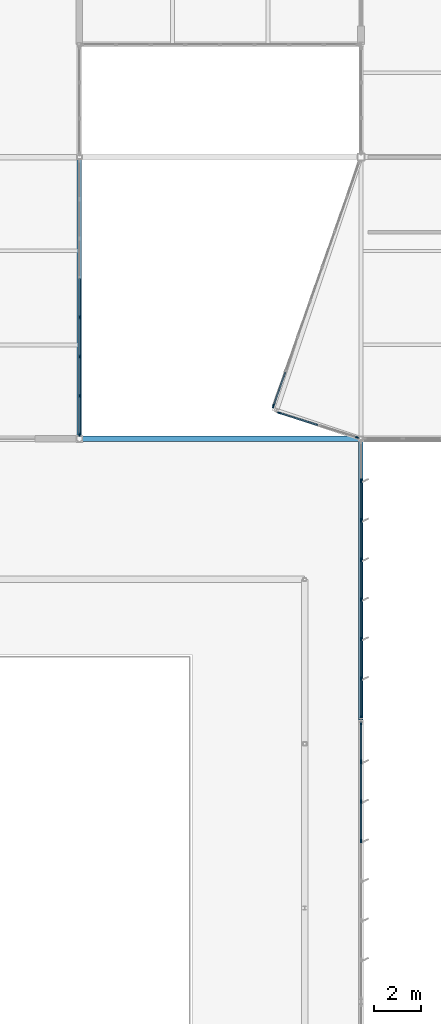
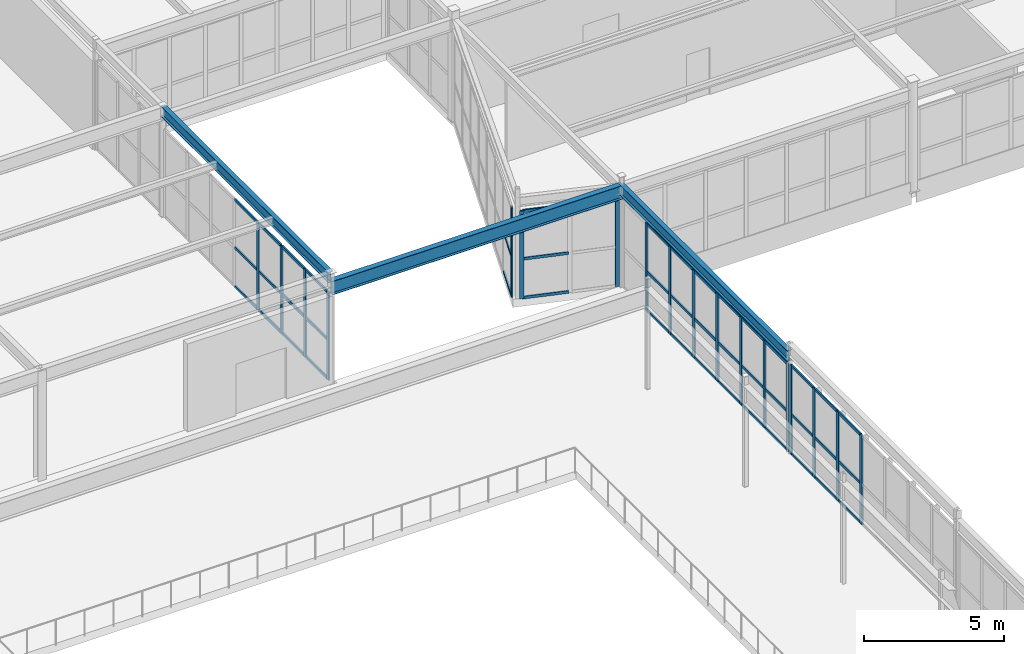
# One storey, part 99 of 186: 62 members, 3 beams, 5 elements without a shape of their own.
"""IFC4 building model written with IfcOpenShell, lengths in metres."""

import ifcopenshell
import ifcopenshell.guid

model = None  # the IFC model being written
_history = None  # IfcOwnerHistory: only IFC2X3 demands one
_inside = {}  # id of a spatial element -> (the spatial element, [elements in it])
_under = {}  # id of a project, library or spatial element -> (it, [spatial elements below it])
_declared = {}  # id of a project -> (the project, [libraries it declares])
_typed = {}  # id of a type object -> (the type object, [elements of that type])
_made_of = {}  # id of a material, layer set ... -> (it, [elements and type objects made of it])


def new_model(schema):
    """Start an empty IFC model of exactly this schema.

    Asked for "IFC4X3", IfcOpenShell would pick the latest addendum, in which some entities
    have other attributes; the version numbers below select the first issue.
    IFC2X3 requires an IfcOwnerHistory on every rooted entity: one is made here for all.
    """
    global model, _history
    if schema == "IFC4X3":
        model = ifcopenshell.file(schema_version=(4, 3, 0, 0))
    else:
        model = ifcopenshell.file(schema=schema)
    _inside.clear()
    _under.clear()
    _declared.clear()
    _typed.clear()
    _made_of.clear()
    _history = None
    if model.schema == "IFC2X3":
        org = make("IfcOrganization", Name="unknown")
        user = make(
            "IfcPersonAndOrganization",
            ThePerson=make("IfcPerson", FamilyName="unknown"),
            TheOrganization=org,
        )
        app = make(
            "IfcApplication",
            ApplicationDeveloper=org,
            Version="unknown",
            ApplicationFullName="unknown",
            ApplicationIdentifier="unknown",
        )
        _history = make(
            "IfcOwnerHistory",
            OwningUser=user,
            OwningApplication=app,
            ChangeAction="ADDED",
            CreationDate=0,
        )
    return model


def make(cls, **values):
    """One entity of the class cls with the attributes given. An attribute that is None is left unset."""
    return model.create_entity(
        cls, **{name: value for name, value in values.items() if value is not None}
    )


def rooted(cls, **values):
    """An entity with a GlobalId (a new one), such as an element, a storey or a relation."""
    return make(cls, GlobalId=ifcopenshell.guid.new(), OwnerHistory=_history, **values)


def si_unit(unit_type, name, prefix=None):
    """IfcSIUnit, for example si_unit("LENGTHUNIT", "METRE", prefix="MILLI")."""
    return make("IfcSIUnit", UnitType=unit_type, Prefix=prefix, Name=name)


def assignment(units):
    """IfcUnitAssignment: the units of a project."""
    return None if units is None else make("IfcUnitAssignment", Units=units)


def point(xyz):
    """IfcCartesianPoint."""
    return None if xyz is None else make("IfcCartesianPoint", Coordinates=xyz)


def direction(xyz):
    """IfcDirection."""
    return None if xyz is None else make("IfcDirection", DirectionRatios=xyz)


def frame(location, z_axis=None, x_axis=None):
    """IfcAxis2Placement3D, a coordinate frame: its origin and axes. An axis left out is left unset."""
    return make(
        "IfcAxis2Placement3D",
        Location=point(location),
        Axis=direction(z_axis),
        RefDirection=direction(x_axis),
    )


def frame_2d(location, x_axis=None):
    """IfcAxis2Placement2D, a coordinate frame in the plane: its origin and x axis."""
    return make(
        "IfcAxis2Placement2D", Location=point(location), RefDirection=direction(x_axis)
    )


def origin():
    """The frame at (0, 0, 0) with its axes left unset."""
    return frame((0.0, 0.0, 0.0))


def origin_2d():
    """The frame at (0, 0) in the plane with its x axis left unset."""
    return frame_2d((0.0, 0.0))


def place(relative_to, where):
    """IfcLocalPlacement: puts the frame where relative to a parent placement (None: the world)."""
    return make(
        "IfcLocalPlacement", PlacementRelTo=relative_to, RelativePlacement=where
    )


def context(
    kind, dimensions, precision=None, world=None, true_north=None, identifier=None
):
    """IfcGeometricRepresentationContext, for example the 3D "Model" context."""
    return make(
        "IfcGeometricRepresentationContext",
        ContextIdentifier=identifier,
        ContextType=kind,
        CoordinateSpaceDimension=dimensions,
        Precision=precision,
        WorldCoordinateSystem=world,
        TrueNorth=true_north,
    )


def subcontext(parent, identifier, kind, view, scale=None):
    """IfcGeometricRepresentationSubContext, for example "Body" below "Model"."""
    return make(
        "IfcGeometricRepresentationSubContext",
        ContextIdentifier=identifier,
        ContextType=kind,
        ParentContext=parent,
        TargetScale=scale,
        TargetView=view,
    )


def project(units=None, contexts=None):
    """IfcProject with its units and contexts."""
    return rooted(
        "IfcProject",
        Name="project",
        RepresentationContexts=contexts,
        UnitsInContext=assignment(units),
    )


def spatial(cls, under=None, at=None, **own):
    """A site, building, storey or space (cls), placed at a placement, below another one or the project."""
    s = rooted(cls, ObjectPlacement=at, **own)
    if under is not None:
        _under.setdefault(under.id(), (under, []))[1].append(s)
    return s


def profile(cls, at=None, kind="AREA", **sizes):
    """A parametric profile (cls). Its sizes go by their IFC names, for example OverallWidth=200.0."""
    return make(cls, ProfileType=kind, Position=at, **sizes)


def rectangle(**sizes):
    """IfcRectangleProfileDef."""
    return profile("IfcRectangleProfileDef", **sizes)


def i_section(**sizes):
    """IfcIShapeProfileDef."""
    return profile("IfcIShapeProfileDef", **sizes)


def extrude(swept, where, along, depth):
    """IfcExtrudedAreaSolid: the profile swept, set in the frame where, extruded along a direction by depth."""
    return make(
        "IfcExtrudedAreaSolid",
        SweptArea=swept,
        Position=where,
        ExtrudedDirection=direction(along),
        Depth=depth,
    )


def shape(context_of_items, identifier, shape_type, items):
    """IfcShapeRepresentation: the items that make up one representation, for example the "Body"."""
    return make(
        "IfcShapeRepresentation",
        ContextOfItems=context_of_items,
        RepresentationIdentifier=identifier,
        RepresentationType=shape_type,
        Items=items,
    )


def material(Name=None, Category=None):
    """IfcMaterial."""
    return make("IfcMaterial", Name=Name, Category=Category)


def layer(
    of_material, thickness, ventilated=None, Name=None, Category=None, Priority=None
):
    """IfcMaterialLayer: one layer of a wall or slab, of a material (None: an air gap)."""
    return make(
        "IfcMaterialLayer",
        Material=of_material,
        LayerThickness=thickness,
        IsVentilated=ventilated,
        Name=Name,
        Category=Category,
        Priority=Priority,
    )


def layer_set(layers, Name=None):
    """IfcMaterialLayerSet."""
    return make("IfcMaterialLayerSet", MaterialLayers=layers, LayerSetName=Name)


def material_profile(
    of_material, cross_section, Name=None, Category=None, Priority=None
):
    """IfcMaterialProfile: a cross section and its material."""
    return make(
        "IfcMaterialProfile",
        Name=Name,
        Material=of_material,
        Profile=cross_section,
        Priority=Priority,
        Category=Category,
    )


def profile_set(profiles, Name=None, composite=None):
    """IfcMaterialProfileSet."""
    return make(
        "IfcMaterialProfileSet",
        Name=Name,
        MaterialProfiles=profiles,
        CompositeProfile=composite,
    )


def made_of(thing, what):
    """Note that an element or type object is made of a material, layer set ...; save() writes the relation."""
    if what is not None:
        _made_of.setdefault(what.id(), (what, []))[1].append(thing)
    return thing


def type_object(cls, material=None, **own):
    """A type object (cls), such as IfcWallType, which elements share."""
    return made_of(rooted(cls, **own), material)


def element(
    cls,
    number,
    at=None,
    inside=None,
    cuts=None,
    type_object=None,
    material=None,
    context=None,
    identifier="Body",
    shape_type=None,
    held_by="IfcProductDefinitionShape",
    body=None,
    shapes=None,
    **own,
):
    """One element of the class cls, such as IfcWall. Its Tag is "e" and its number.

    at: its placement. inside: the storey or other place that contains it. cuts: it is an
    opening in that element (IfcRelVoidsElement). A single representation is given by context,
    identifier, shape_type and body (its items); several are given by shapes. held_by: the class
    of the entity that holds the representations. save() writes the other relations.
    """
    e = rooted(cls, Tag="e%d" % number, ObjectPlacement=at, **own)
    if body is not None:
        shapes = [shape(context, identifier, shape_type, body)]
    if shapes is not None:
        e.Representation = make(held_by, Representations=shapes)
    if inside is not None:
        _inside.setdefault(inside.id(), (inside, []))[1].append(e)
    if cuts is not None:
        rooted(
            "IfcRelVoidsElement", RelatingBuildingElement=cuts, RelatedOpeningElement=e
        )
    if type_object is not None:
        _typed.setdefault(type_object.id(), (type_object, []))[1].append(e)
    return made_of(e, material)


def aggregate(whole, parts):
    """IfcRelAggregates: a whole, such as a stair, and the parts it consists of."""
    return rooted("IfcRelAggregates", RelatingObject=whole, RelatedObjects=parts)


def save(model, path):
    """Write the relations noted so far, then the file.

    IfcRelAggregates (storeys below a building ...), IfcRelContainedInSpatialStructure (elements
    in a storey), IfcRelDefinesByType, IfcRelAssociatesMaterial and IfcRelDeclares: one each for
    every whole, place, type object, material and project.
    """
    for whole, parts in _under.values():
        aggregate(whole, parts)
    for where, things in _inside.values():
        rooted(
            "IfcRelContainedInSpatialStructure",
            RelatedElements=things,
            RelatingStructure=where,
        )
    for kind, things in _typed.values():
        rooted("IfcRelDefinesByType", RelatedObjects=things, RelatingType=kind)
    for what, things in _made_of.values():
        rooted("IfcRelAssociatesMaterial", RelatedObjects=things, RelatingMaterial=what)
    for by, libraries in _declared.values():
        rooted("IfcRelDeclares", RelatingContext=by, RelatedDefinitions=libraries)
    model.write(path)


model = new_model("IFC4")

# Units and contexts
model_context = context("Model", 3, precision=1e-05, world=origin(), true_north=direction((0.0, 1.0)))
body_context = subcontext(model_context, "Body", "Model", "MODEL_VIEW")
ifc_project = project(units=[si_unit("LENGTHUNIT", "METRE"), si_unit("AREAUNIT", "SQUARE_METRE"), si_unit("VOLUMEUNIT", "CUBIC_METRE"), si_unit("PLANEANGLEUNIT", "RADIAN"), si_unit("MASSUNIT", "GRAM", prefix="KILO")], contexts=[model_context])

# Site, building, storey
site_placement = place(None, origin())
site = spatial("IfcSite", under=ifc_project, at=site_placement, CompositionType="ELEMENT")
building_placement = place(site_placement, origin())
building = spatial("IfcBuilding", under=site, at=building_placement, Name="Tarnwether General Hospital", CompositionType="ELEMENT")
storey_placement = place(building_placement, frame((0.0, 0.0, 9.60009765625)))
storey = spatial("IfcBuildingStorey", under=building, at=storey_placement, Name="L02", CompositionType="ELEMENT", Elevation=9.60009765625)

# Beams
ifc_material_1 = material(Name="Steel Grade 350 (350 MPa)", Category="steel")
ifc_material_profile_1 = material_profile(ifc_material_1, i_section(OverallWidth=0.22802734375, OverallDepth=0.60205078125, WebThickness=0.010498046875, FlangeThickness=0.014892578125, at=origin_2d()), Name="610UB101")
ifc_profile_set_1 = profile_set([ifc_material_profile_1], Name="Steel Grade 350 (350 MPa)")
beam_type_1 = type_object("IfcBeamType", Name="BM-G05", PredefinedType="BEAM", material=ifc_profile_set_1)
beam_placement = place(storey_placement, frame((132.0, 81.60009765625, 4.143798828125), z_axis=(1.0, 0.0, 0.0), x_axis=(0.0, 1.0, 0.0)))
element("IfcBeam", 1, at=beam_placement, inside=storey, type_object=beam_type_1, Name="Primary Girder BMG-L02-13200_8160-14400_8160-1558", PredefinedType="BEAM", context=body_context, shape_type="SweptSolid", body=[
    extrude(i_section(OverallWidth=0.22802734375, OverallDepth=0.60205078125, WebThickness=0.010498046875, FlangeThickness=0.014892578125, at=origin_2d()), origin(), (0.0, 0.0, 1.0), 12.0),
])
ifc_material_2 = material(Name="Steel Grade 350 (350 MPa)", Category="steel")
ifc_material_profile_2 = material_profile(ifc_material_2, i_section(OverallWidth=0.19091796875, OverallDepth=0.4599609375, WebThickness=0.010009765625, FlangeThickness=0.01611328125, at=origin_2d()), Name="460UB82.1")
ifc_profile_set_2 = profile_set([ifc_material_profile_2], Name="Steel Grade 350 (350 MPa)")
beam_type_2 = type_object("IfcBeamType", Name="BM-G08", PredefinedType="BEAM", material=ifc_profile_set_2)
for number, where, z_axis, x_axis, name in (
    (2, (132.0, 81.60009765625, 4.56982421875), (0.0, 1.0, 0.0), (-1.0, 0.0, 0.0), "Primary Girder BMG-L02-13200_8160-13200_9360-1559"),
    (3, (144.0, 69.60009765625, 4.21484375), (0.0, 1.0, 0.0), (-1.0, 0.0, 0.0), "Primary Girder BMG-L02-14400_6960-14400_8160-1578"),
):
    element("IfcBeam", number, at=place(storey_placement, frame(where, z_axis=z_axis, x_axis=x_axis)), inside=storey, type_object=beam_type_2, Name=name, PredefinedType="BEAM", context=body_context, shape_type="SweptSolid", body=[
        extrude(i_section(OverallWidth=0.19091796875, OverallDepth=0.4599609375, WebThickness=0.010009765625, FlangeThickness=0.01611328125, at=origin_2d()), origin(), (0.0, 0.0, 1.0), 12.0),
    ])

# Curtain wall, members
ifc_material_3 = material(Name="Anodised aluminium", Category="aluminium")
ifc_layer_1 = layer(ifc_material_3, 0.179931640625)
ifc_layer_set_1 = layer_set([ifc_layer_1], Name="Anodised aluminium")
curtain_wall_type_1 = type_object("IfcCurtainWallType", Name="CW-06", PredefinedType="NOTDEFINED", material=ifc_layer_set_1)
curtain_wall_1_placement = place(storey_placement, origin())
curtain_wall_1 = element("IfcCurtainWall", 4, at=curtain_wall_1_placement, inside=storey, type_object=curtain_wall_type_1, Name="Curtain Wall CWG-L02-1440_815-0416", PredefinedType="NOTDEFINED")
ifc_material_4 = material(Name="Anodised aluminium", Category="aluminium")
ifc_material_profile_3 = material_profile(ifc_material_4, rectangle(XDim=0.06005859375, YDim=0.159912109375, at=origin_2d()), Name="ALU-MUL-60x160")
ifc_profile_set_3 = profile_set([ifc_material_profile_3], Name="Anodised aluminium")
member_type_1 = type_object("IfcMemberType", Name="CW-ML1", PredefinedType="MULLION", material=ifc_profile_set_3)
member_1_placement = place(storey_placement, frame((144.0, 79.808349609375, 0.0), z_axis=(0.0, 0.0, 1.0), x_axis=(1.0, 0.0, 0.0)))
member_1 = element("IfcMember", 5, at=member_1_placement, type_object=member_type_1, Name="CW-06 mullion 2", PredefinedType="MULLION", context=body_context, shape_type="SweptSolid", body=[
    extrude(rectangle(XDim=0.06005859375, YDim=0.159912109375, at=origin_2d()), origin(), (0.0, 0.0, 1.0), 3.827880859375),
])
member_2_placement = place(storey_placement, frame((144.0, 78.121826171875, 0.0), z_axis=(0.0, 0.0, 1.0), x_axis=(1.0, 0.0, 0.0)))
member_2 = element("IfcMember", 6, at=member_2_placement, type_object=member_type_1, Name="CW-06 mullion 3", PredefinedType="MULLION", context=body_context, shape_type="SweptSolid", body=[
    extrude(rectangle(XDim=0.06005859375, YDim=0.159912109375, at=origin_2d()), origin(), (0.0, 0.0, 1.0), 3.827880859375),
])
member_3_placement = place(storey_placement, frame((144.0, 76.435302734375, 0.0), z_axis=(0.0, 0.0, 1.0), x_axis=(1.0, 0.0, 0.0)))
member_3 = element("IfcMember", 7, at=member_3_placement, type_object=member_type_1, Name="CW-06 mullion 4", PredefinedType="MULLION", context=body_context, shape_type="SweptSolid", body=[
    extrude(rectangle(XDim=0.06005859375, YDim=0.159912109375, at=origin_2d()), origin(), (0.0, 0.0, 1.0), 3.827880859375),
])
member_4_placement = place(storey_placement, frame((144.0, 74.748779296875, 0.0), z_axis=(0.0, 0.0, 1.0), x_axis=(1.0, 0.0, 0.0)))
member_4 = element("IfcMember", 8, at=member_4_placement, type_object=member_type_1, Name="CW-06 mullion 5", PredefinedType="MULLION", context=body_context, shape_type="SweptSolid", body=[
    extrude(rectangle(XDim=0.06005859375, YDim=0.159912109375, at=origin_2d()), origin(), (0.0, 0.0, 1.0), 3.827880859375),
])
member_5_placement = place(storey_placement, frame((144.0, 73.062255859375, 0.0), z_axis=(0.0, 0.0, 1.0), x_axis=(1.0, 0.0, 0.0)))
member_5 = element("IfcMember", 9, at=member_5_placement, type_object=member_type_1, Name="CW-06 mullion 6", PredefinedType="MULLION", context=body_context, shape_type="SweptSolid", body=[
    extrude(rectangle(XDim=0.06005859375, YDim=0.159912109375, at=origin_2d()), origin(), (0.0, 0.0, 1.0), 3.827880859375),
])
member_6_placement = place(storey_placement, frame((144.0, 71.37548828125, 0.0), z_axis=(0.0, 0.0, 1.0), x_axis=(1.0, 0.0, 0.0)))
member_6 = element("IfcMember", 10, at=member_6_placement, type_object=member_type_1, Name="CW-06 mullion 7", PredefinedType="MULLION", context=body_context, shape_type="SweptSolid", body=[
    extrude(rectangle(XDim=0.06005859375, YDim=0.159912109375, at=origin_2d()), origin(), (0.0, 0.0, 1.0), 3.827880859375),
])
member_7_placement = place(storey_placement, frame((144.0, 69.718994140625, 0.0), z_axis=(0.0, 0.0, 1.0), x_axis=(1.0, 0.0, 0.0)))
member_7 = element("IfcMember", 11, at=member_7_placement, type_object=member_type_1, Name="CW-06 mullion 8", PredefinedType="MULLION", context=body_context, shape_type="SweptSolid", body=[
    extrude(rectangle(XDim=0.06005859375, YDim=0.159912109375, at=origin_2d()), origin(), (0.0, 0.0, 1.0), 3.827880859375),
])

curtain_wall_2_placement = place(storey_placement, origin())
curtain_wall_2 = element("IfcCurtainWall", 12, at=curtain_wall_2_placement, inside=storey, type_object=curtain_wall_type_1, Name="Curtain Wall CWG-L02-1440_695-0417", PredefinedType="NOTDEFINED")
member_8_placement = place(storey_placement, frame((144.0, 69.48095703125, 0.0), z_axis=(0.0, 0.0, 1.0), x_axis=(1.0, 0.0, 0.0)))
member_8 = element("IfcMember", 13, at=member_8_placement, type_object=member_type_1, Name="CW-06 mullion 1", PredefinedType="MULLION", context=body_context, shape_type="SweptSolid", body=[
    extrude(rectangle(XDim=0.06005859375, YDim=0.159912109375, at=origin_2d()), origin(), (0.0, 0.0, 1.0), 3.89697265625),
])
member_9_placement = place(storey_placement, frame((144.0, 67.8251953125, 0.0), z_axis=(0.0, 0.0, 1.0), x_axis=(1.0, 0.0, 0.0)))
member_9 = element("IfcMember", 14, at=member_9_placement, type_object=member_type_1, Name="CW-06 mullion 2", PredefinedType="MULLION", context=body_context, shape_type="SweptSolid", body=[
    extrude(rectangle(XDim=0.06005859375, YDim=0.159912109375, at=origin_2d()), origin(), (0.0, 0.0, 1.0), 3.89697265625),
])
member_10_placement = place(storey_placement, frame((144.0, 66.139404296875, 0.0), z_axis=(0.0, 0.0, 1.0), x_axis=(1.0, 0.0, 0.0)))
member_10 = element("IfcMember", 15, at=member_10_placement, type_object=member_type_1, Name="CW-06 mullion 3", PredefinedType="MULLION", context=body_context, shape_type="SweptSolid", body=[
    extrude(rectangle(XDim=0.06005859375, YDim=0.159912109375, at=origin_2d()), origin(), (0.0, 0.0, 1.0), 3.89697265625),
])
member_11_placement = place(storey_placement, frame((144.0, 64.453369140625, 0.0), z_axis=(0.0, 0.0, 1.0), x_axis=(1.0, 0.0, 0.0)))
member_11 = element("IfcMember", 16, at=member_11_placement, type_object=member_type_1, Name="CW-06 mullion 4", PredefinedType="MULLION", context=body_context, shape_type="SweptSolid", body=[
    extrude(rectangle(XDim=0.06005859375, YDim=0.159912109375, at=origin_2d()), origin(), (0.0, 0.0, 1.0), 3.89697265625),
])

ifc_material_5 = material(Name="Anodised aluminium", Category="aluminium")
ifc_layer_2 = layer(ifc_material_5, 0.159912109375)
ifc_layer_set_2 = layer_set([ifc_layer_2], Name="Anodised aluminium")
curtain_wall_type_2 = type_object("IfcCurtainWallType", Name="CW-15", PredefinedType="NOTDEFINED", material=ifc_layer_set_2)
curtain_wall_3_placement = place(storey_placement, origin())
curtain_wall_3 = element("IfcCurtainWall", 17, at=curtain_wall_3_placement, inside=storey, type_object=curtain_wall_type_2, Name="Curtain Wall CWG-L02-1320_935-0444", PredefinedType="NOTDEFINED")
member_12_placement = place(storey_placement, frame((132.0, 86.775146484375, 0.0), z_axis=(0.0, 0.0, 1.0), x_axis=(1.0, 0.0, 0.0)))
member_12 = element("IfcMember", 18, at=member_12_placement, type_object=member_type_1, Name="CW-15 mullion 5", PredefinedType="MULLION", context=body_context, shape_type="SweptSolid", body=[
    extrude(rectangle(XDim=0.06005859375, YDim=0.159912109375, at=origin_2d()), origin(), (0.0, 0.0, 1.0), 3.827880859375),
])
member_13_placement = place(storey_placement, frame((132.0, 85.098388671875, 0.0), z_axis=(0.0, 0.0, 1.0), x_axis=(1.0, 0.0, 0.0)))
member_13 = element("IfcMember", 19, at=member_13_placement, type_object=member_type_1, Name="CW-15 mullion 6", PredefinedType="MULLION", context=body_context, shape_type="SweptSolid", body=[
    extrude(rectangle(XDim=0.06005859375, YDim=0.159912109375, at=origin_2d()), origin(), (0.0, 0.0, 1.0), 3.827880859375),
])
member_14_placement = place(storey_placement, frame((132.0, 83.421630859375, 0.0), z_axis=(0.0, 0.0, 1.0), x_axis=(1.0, 0.0, 0.0)))
member_14 = element("IfcMember", 20, at=member_14_placement, type_object=member_type_1, Name="CW-15 mullion 7", PredefinedType="MULLION", context=body_context, shape_type="SweptSolid", body=[
    extrude(rectangle(XDim=0.06005859375, YDim=0.159912109375, at=origin_2d()), origin(), (0.0, 0.0, 1.0), 3.827880859375),
])
member_15_placement = place(storey_placement, frame((132.0, 81.77490234375, 0.0), z_axis=(0.0, 0.0, 1.0), x_axis=(1.0, 0.0, 0.0)))
member_15 = element("IfcMember", 21, at=member_15_placement, type_object=member_type_1, Name="CW-15 mullion 8", PredefinedType="MULLION", context=body_context, shape_type="SweptSolid", body=[
    extrude(rectangle(XDim=0.06005859375, YDim=0.159912109375, at=origin_2d()), origin(), (0.0, 0.0, 1.0), 3.827880859375),
])

curtain_wall_4_placement = place(storey_placement, origin())
curtain_wall_4 = element("IfcCurtainWall", 22, at=curtain_wall_4_placement, inside=storey, type_object=curtain_wall_type_2, Name="Curtain Wall CWG-L02-1439_816-0445", PredefinedType="NOTDEFINED")
member_16_placement = place(storey_placement, frame((143.847412109375, 81.64794921875, 0.0), z_axis=(0.0, 0.0, 1.0), x_axis=(-0.301185152538, -0.953565678855, 0.0)))
member_16 = element("IfcMember", 23, at=member_16_placement, type_object=member_type_1, Name="CW-15 mullion 1", PredefinedType="MULLION", context=body_context, shape_type="SweptSolid", body=[
    extrude(rectangle(XDim=0.06005859375, YDim=0.159912109375, at=origin_2d()), origin(), (0.0, 0.0, 1.0), 3.827880859375),
])
member_17_placement = place(storey_placement, frame((140.510498046875, 82.701904296875, 0.0), z_axis=(0.0, 0.0, 1.0), x_axis=(-0.301185152538, -0.953565678855, 0.0)))
member_17 = element("IfcMember", 24, at=member_17_placement, type_object=member_type_1, Name="CW-15 mullion 3", PredefinedType="MULLION", context=body_context, shape_type="SweptSolid", body=[
    extrude(rectangle(XDim=0.06005859375, YDim=0.159912109375, at=origin_2d()), origin(), (0.0, 0.0, 1.0), 3.827880859375),
])

# Curtain wall, member
curtain_wall_5_placement = place(storey_placement, origin())
curtain_wall_5 = element("IfcCurtainWall", 25, at=curtain_wall_5_placement, inside=storey, type_object=curtain_wall_type_2, Name="Curtain Wall CWG-L02-1403_830-0446", PredefinedType="NOTDEFINED")
member_18_placement = place(storey_placement, frame((140.26806640625, 82.9921875, 0.0), z_axis=(0.0, 0.0, 1.0), x_axis=(-0.943316578617, 0.33189430924, 0.0)))
member_18 = element("IfcMember", 26, at=member_18_placement, type_object=member_type_1, Name="CW-15 mullion 1", PredefinedType="MULLION", context=body_context, shape_type="SweptSolid", body=[
    extrude(rectangle(XDim=0.06005859375, YDim=0.159912109375, at=origin_2d()), origin(), (0.0, 0.0, 1.0), 3.89697265625),
])

# Member
ifc_material_6 = material(Name="Anodised aluminium", Category="aluminium")
ifc_material_profile_4 = material_profile(ifc_material_6, rectangle(XDim=0.06005859375, YDim=0.1201171875, at=origin_2d()), Name="ALU-TRN-60x120")
ifc_profile_set_4 = profile_set([ifc_material_profile_4], Name="Anodised aluminium")
member_type_2 = type_object("IfcMemberType", Name="CW-TR1", PredefinedType="USERDEFINED", material=ifc_profile_set_4)
member_19_placement = place(storey_placement, frame((144.0, 79.7783203125, 0.02978515625), z_axis=(0.0, -1.0, 0.0), x_axis=(1.0, 0.0, 0.0)))
member_19 = element("IfcMember", 27, at=member_19_placement, type_object=member_type_2, Name="CW-06 transom 2.1", ObjectType="TRANSOM", PredefinedType="USERDEFINED", context=body_context, shape_type="SweptSolid", body=[
    extrude(rectangle(XDim=0.06005859375, YDim=0.1201171875, at=origin_2d()), origin(), (0.0, 0.0, 1.0), 1.62646484375),
])

member_20_placement = place(storey_placement, frame((144.0, 79.7783203125, 1.722412109375), z_axis=(0.0, -1.0, 0.0), x_axis=(1.0, 0.0, 0.0)))
member_20 = element("IfcMember", 28, at=member_20_placement, type_object=member_type_2, Name="CW-06 transom 2.2", ObjectType="TRANSOM", PredefinedType="USERDEFINED", context=body_context, shape_type="SweptSolid", body=[
    extrude(rectangle(XDim=0.06005859375, YDim=0.1201171875, at=origin_2d()), origin(), (0.0, 0.0, 1.0), 1.62646484375),
])

member_21_placement = place(storey_placement, frame((144.0, 79.7783203125, 3.7978515625), z_axis=(0.0, -1.0, 0.0), x_axis=(1.0, 0.0, 0.0)))
member_21 = element("IfcMember", 29, at=member_21_placement, type_object=member_type_2, Name="CW-06 transom 2.3", ObjectType="TRANSOM", PredefinedType="USERDEFINED", context=body_context, shape_type="SweptSolid", body=[
    extrude(rectangle(XDim=0.06005859375, YDim=0.1201171875, at=origin_2d()), origin(), (0.0, 0.0, 1.0), 1.62646484375),
])

member_22_placement = place(storey_placement, frame((144.0, 78.091796875, 0.02978515625), z_axis=(0.0, -1.0, 0.0), x_axis=(1.0, 0.0, 0.0)))
member_22 = element("IfcMember", 30, at=member_22_placement, type_object=member_type_2, Name="CW-06 transom 3.1", ObjectType="TRANSOM", PredefinedType="USERDEFINED", context=body_context, shape_type="SweptSolid", body=[
    extrude(rectangle(XDim=0.06005859375, YDim=0.1201171875, at=origin_2d()), origin(), (0.0, 0.0, 1.0), 1.62646484375),
])

member_23_placement = place(storey_placement, frame((144.0, 78.091796875, 1.722412109375), z_axis=(0.0, -1.0, 0.0), x_axis=(1.0, 0.0, 0.0)))
member_23 = element("IfcMember", 31, at=member_23_placement, type_object=member_type_2, Name="CW-06 transom 3.2", ObjectType="TRANSOM", PredefinedType="USERDEFINED", context=body_context, shape_type="SweptSolid", body=[
    extrude(rectangle(XDim=0.06005859375, YDim=0.1201171875, at=origin_2d()), origin(), (0.0, 0.0, 1.0), 1.62646484375),
])

member_24_placement = place(storey_placement, frame((144.0, 78.091796875, 3.7978515625), z_axis=(0.0, -1.0, 0.0), x_axis=(1.0, 0.0, 0.0)))
member_24 = element("IfcMember", 32, at=member_24_placement, type_object=member_type_2, Name="CW-06 transom 3.3", ObjectType="TRANSOM", PredefinedType="USERDEFINED", context=body_context, shape_type="SweptSolid", body=[
    extrude(rectangle(XDim=0.06005859375, YDim=0.1201171875, at=origin_2d()), origin(), (0.0, 0.0, 1.0), 1.62646484375),
])

member_25_placement = place(storey_placement, frame((144.0, 76.4052734375, 0.02978515625), z_axis=(0.0, -1.0, 0.0), x_axis=(1.0, 0.0, 0.0)))
member_25 = element("IfcMember", 33, at=member_25_placement, type_object=member_type_2, Name="CW-06 transom 4.1", ObjectType="TRANSOM", PredefinedType="USERDEFINED", context=body_context, shape_type="SweptSolid", body=[
    extrude(rectangle(XDim=0.06005859375, YDim=0.1201171875, at=origin_2d()), origin(), (0.0, 0.0, 1.0), 1.62646484375),
])

member_26_placement = place(storey_placement, frame((144.0, 76.4052734375, 1.722412109375), z_axis=(0.0, -1.0, 0.0), x_axis=(1.0, 0.0, 0.0)))
member_26 = element("IfcMember", 34, at=member_26_placement, type_object=member_type_2, Name="CW-06 transom 4.2", ObjectType="TRANSOM", PredefinedType="USERDEFINED", context=body_context, shape_type="SweptSolid", body=[
    extrude(rectangle(XDim=0.06005859375, YDim=0.1201171875, at=origin_2d()), origin(), (0.0, 0.0, 1.0), 1.62646484375),
])

member_27_placement = place(storey_placement, frame((144.0, 76.4052734375, 3.7978515625), z_axis=(0.0, -1.0, 0.0), x_axis=(1.0, 0.0, 0.0)))
member_27 = element("IfcMember", 35, at=member_27_placement, type_object=member_type_2, Name="CW-06 transom 4.3", ObjectType="TRANSOM", PredefinedType="USERDEFINED", context=body_context, shape_type="SweptSolid", body=[
    extrude(rectangle(XDim=0.06005859375, YDim=0.1201171875, at=origin_2d()), origin(), (0.0, 0.0, 1.0), 1.62646484375),
])

member_28_placement = place(storey_placement, frame((144.0, 74.71875, 0.02978515625), z_axis=(0.0, -1.0, 0.0), x_axis=(1.0, 0.0, 0.0)))
member_28 = element("IfcMember", 36, at=member_28_placement, type_object=member_type_2, Name="CW-06 transom 5.1", ObjectType="TRANSOM", PredefinedType="USERDEFINED", context=body_context, shape_type="SweptSolid", body=[
    extrude(rectangle(XDim=0.06005859375, YDim=0.1201171875, at=origin_2d()), origin(), (0.0, 0.0, 1.0), 1.626708984375),
])

member_29_placement = place(storey_placement, frame((144.0, 74.71875, 1.722412109375), z_axis=(0.0, -1.0, 0.0), x_axis=(1.0, 0.0, 0.0)))
member_29 = element("IfcMember", 37, at=member_29_placement, type_object=member_type_2, Name="CW-06 transom 5.2", ObjectType="TRANSOM", PredefinedType="USERDEFINED", context=body_context, shape_type="SweptSolid", body=[
    extrude(rectangle(XDim=0.06005859375, YDim=0.1201171875, at=origin_2d()), origin(), (0.0, 0.0, 1.0), 1.626708984375),
])

member_30_placement = place(storey_placement, frame((144.0, 74.71875, 3.7978515625), z_axis=(0.0, -1.0, 0.0), x_axis=(1.0, 0.0, 0.0)))
member_30 = element("IfcMember", 38, at=member_30_placement, type_object=member_type_2, Name="CW-06 transom 5.3", ObjectType="TRANSOM", PredefinedType="USERDEFINED", context=body_context, shape_type="SweptSolid", body=[
    extrude(rectangle(XDim=0.06005859375, YDim=0.1201171875, at=origin_2d()), origin(), (0.0, 0.0, 1.0), 1.626708984375),
])

member_31_placement = place(storey_placement, frame((144.0, 73.0322265625, 0.02978515625), z_axis=(0.0, -1.0, 0.0), x_axis=(1.0, 0.0, 0.0)))
member_31 = element("IfcMember", 39, at=member_31_placement, type_object=member_type_2, Name="CW-06 transom 6.1", ObjectType="TRANSOM", PredefinedType="USERDEFINED", context=body_context, shape_type="SweptSolid", body=[
    extrude(rectangle(XDim=0.06005859375, YDim=0.1201171875, at=origin_2d()), origin(), (0.0, 0.0, 1.0), 1.626708984375),
])

member_32_placement = place(storey_placement, frame((144.0, 73.0322265625, 1.722412109375), z_axis=(0.0, -1.0, 0.0), x_axis=(1.0, 0.0, 0.0)))
member_32 = element("IfcMember", 40, at=member_32_placement, type_object=member_type_2, Name="CW-06 transom 6.2", ObjectType="TRANSOM", PredefinedType="USERDEFINED", context=body_context, shape_type="SweptSolid", body=[
    extrude(rectangle(XDim=0.06005859375, YDim=0.1201171875, at=origin_2d()), origin(), (0.0, 0.0, 1.0), 1.626708984375),
])

member_33_placement = place(storey_placement, frame((144.0, 73.0322265625, 3.7978515625), z_axis=(0.0, -1.0, 0.0), x_axis=(1.0, 0.0, 0.0)))
member_33 = element("IfcMember", 41, at=member_33_placement, type_object=member_type_2, Name="CW-06 transom 6.3", ObjectType="TRANSOM", PredefinedType="USERDEFINED", context=body_context, shape_type="SweptSolid", body=[
    extrude(rectangle(XDim=0.06005859375, YDim=0.1201171875, at=origin_2d()), origin(), (0.0, 0.0, 1.0), 1.626708984375),
])

member_34_placement = place(storey_placement, frame((144.0, 71.345458984375, 0.02978515625), z_axis=(0.0, -1.0, 0.0), x_axis=(1.0, 0.0, 0.0)))
member_34 = element("IfcMember", 42, at=member_34_placement, type_object=member_type_2, Name="CW-06 transom 7.1", ObjectType="TRANSOM", PredefinedType="USERDEFINED", context=body_context, shape_type="SweptSolid", body=[
    extrude(rectangle(XDim=0.06005859375, YDim=0.1201171875, at=origin_2d()), origin(), (0.0, 0.0, 1.0), 1.596435546875),
])

member_35_placement = place(storey_placement, frame((144.0, 71.345458984375, 1.722412109375), z_axis=(0.0, -1.0, 0.0), x_axis=(1.0, 0.0, 0.0)))
member_35 = element("IfcMember", 43, at=member_35_placement, type_object=member_type_2, Name="CW-06 transom 7.2", ObjectType="TRANSOM", PredefinedType="USERDEFINED", context=body_context, shape_type="SweptSolid", body=[
    extrude(rectangle(XDim=0.06005859375, YDim=0.1201171875, at=origin_2d()), origin(), (0.0, 0.0, 1.0), 1.596435546875),
])

member_36_placement = place(storey_placement, frame((144.0, 71.345458984375, 3.7978515625), z_axis=(0.0, -1.0, 0.0), x_axis=(1.0, 0.0, 0.0)))
member_36 = element("IfcMember", 44, at=member_36_placement, type_object=member_type_2, Name="CW-06 transom 7.3", ObjectType="TRANSOM", PredefinedType="USERDEFINED", context=body_context, shape_type="SweptSolid", body=[
    extrude(rectangle(XDim=0.06005859375, YDim=0.1201171875, at=origin_2d()), origin(), (0.0, 0.0, 1.0), 1.596435546875),
])

aggregate(curtain_wall_1, [member_1, member_2, member_3, member_4, member_5, member_6, member_7, member_19, member_20, member_21, member_22, member_23, member_24, member_25, member_26, member_27, member_28, member_29, member_30, member_31, member_32, member_33, member_34, member_35, member_36])

member_37_placement = place(storey_placement, frame((144.0, 69.450927734375, 0.02978515625), z_axis=(0.0, -1.0, 0.0), x_axis=(1.0, 0.0, 0.0)))
member_37 = element("IfcMember", 45, at=member_37_placement, type_object=member_type_2, Name="CW-06 transom 1.1", ObjectType="TRANSOM", PredefinedType="USERDEFINED", context=body_context, shape_type="SweptSolid", body=[
    extrude(rectangle(XDim=0.06005859375, YDim=0.1201171875, at=origin_2d()), origin(), (0.0, 0.0, 1.0), 1.595703125),
])

member_38_placement = place(storey_placement, frame((144.0, 69.450927734375, 1.753662109375), z_axis=(0.0, -1.0, 0.0), x_axis=(1.0, 0.0, 0.0)))
member_38 = element("IfcMember", 46, at=member_38_placement, type_object=member_type_2, Name="CW-06 transom 1.2", ObjectType="TRANSOM", PredefinedType="USERDEFINED", context=body_context, shape_type="SweptSolid", body=[
    extrude(rectangle(XDim=0.06005859375, YDim=0.1201171875, at=origin_2d()), origin(), (0.0, 0.0, 1.0), 1.595703125),
])

member_39_placement = place(storey_placement, frame((144.0, 69.450927734375, 3.866943359375), z_axis=(0.0, -1.0, 0.0), x_axis=(1.0, 0.0, 0.0)))
member_39 = element("IfcMember", 47, at=member_39_placement, type_object=member_type_2, Name="CW-06 transom 1.3", ObjectType="TRANSOM", PredefinedType="USERDEFINED", context=body_context, shape_type="SweptSolid", body=[
    extrude(rectangle(XDim=0.06005859375, YDim=0.1201171875, at=origin_2d()), origin(), (0.0, 0.0, 1.0), 1.595703125),
])

member_40_placement = place(storey_placement, frame((144.0, 67.795166015625, 0.02978515625), z_axis=(0.0, -1.0, 0.0), x_axis=(1.0, 0.0, 0.0)))
member_40 = element("IfcMember", 48, at=member_40_placement, type_object=member_type_2, Name="CW-06 transom 2.1", ObjectType="TRANSOM", PredefinedType="USERDEFINED", context=body_context, shape_type="SweptSolid", body=[
    extrude(rectangle(XDim=0.06005859375, YDim=0.1201171875, at=origin_2d()), origin(), (0.0, 0.0, 1.0), 1.6259765625),
])

member_41_placement = place(storey_placement, frame((144.0, 67.795166015625, 1.753662109375), z_axis=(0.0, -1.0, 0.0), x_axis=(1.0, 0.0, 0.0)))
member_41 = element("IfcMember", 49, at=member_41_placement, type_object=member_type_2, Name="CW-06 transom 2.2", ObjectType="TRANSOM", PredefinedType="USERDEFINED", context=body_context, shape_type="SweptSolid", body=[
    extrude(rectangle(XDim=0.06005859375, YDim=0.1201171875, at=origin_2d()), origin(), (0.0, 0.0, 1.0), 1.6259765625),
])

member_42_placement = place(storey_placement, frame((144.0, 67.795166015625, 3.866943359375), z_axis=(0.0, -1.0, 0.0), x_axis=(1.0, 0.0, 0.0)))
member_42 = element("IfcMember", 50, at=member_42_placement, type_object=member_type_2, Name="CW-06 transom 2.3", ObjectType="TRANSOM", PredefinedType="USERDEFINED", context=body_context, shape_type="SweptSolid", body=[
    extrude(rectangle(XDim=0.06005859375, YDim=0.1201171875, at=origin_2d()), origin(), (0.0, 0.0, 1.0), 1.6259765625),
])

member_43_placement = place(storey_placement, frame((144.0, 66.109375, 0.02978515625), z_axis=(0.0, -1.0, 0.0), x_axis=(1.0, 0.0, 0.0)))
member_43 = element("IfcMember", 51, at=member_43_placement, type_object=member_type_2, Name="CW-06 transom 3.1", ObjectType="TRANSOM", PredefinedType="USERDEFINED", context=body_context, shape_type="SweptSolid", body=[
    extrude(rectangle(XDim=0.06005859375, YDim=0.1201171875, at=origin_2d()), origin(), (0.0, 0.0, 1.0), 1.6259765625),
])

member_44_placement = place(storey_placement, frame((144.0, 66.109375, 1.753662109375), z_axis=(0.0, -1.0, 0.0), x_axis=(1.0, 0.0, 0.0)))
member_44 = element("IfcMember", 52, at=member_44_placement, type_object=member_type_2, Name="CW-06 transom 3.2", ObjectType="TRANSOM", PredefinedType="USERDEFINED", context=body_context, shape_type="SweptSolid", body=[
    extrude(rectangle(XDim=0.06005859375, YDim=0.1201171875, at=origin_2d()), origin(), (0.0, 0.0, 1.0), 1.6259765625),
])

member_45_placement = place(storey_placement, frame((144.0, 66.109375, 3.866943359375), z_axis=(0.0, -1.0, 0.0), x_axis=(1.0, 0.0, 0.0)))
member_45 = element("IfcMember", 53, at=member_45_placement, type_object=member_type_2, Name="CW-06 transom 3.3", ObjectType="TRANSOM", PredefinedType="USERDEFINED", context=body_context, shape_type="SweptSolid", body=[
    extrude(rectangle(XDim=0.06005859375, YDim=0.1201171875, at=origin_2d()), origin(), (0.0, 0.0, 1.0), 1.6259765625),
])

aggregate(curtain_wall_2, [member_8, member_9, member_10, member_11, member_37, member_38, member_39, member_40, member_41, member_42, member_43, member_44, member_45])

member_46_placement = place(storey_placement, frame((132.0, 88.421875, 0.02978515625), z_axis=(0.0, -1.0, 0.0), x_axis=(1.0, 0.0, 0.0)))
member_46 = element("IfcMember", 54, at=member_46_placement, type_object=member_type_2, Name="CW-15 transom 4.1", ObjectType="TRANSOM", PredefinedType="USERDEFINED", context=body_context, shape_type="SweptSolid", body=[
    extrude(rectangle(XDim=0.06005859375, YDim=0.1201171875, at=origin_2d()), origin(), (0.0, 0.0, 1.0), 1.61669921875),
])

member_47_placement = place(storey_placement, frame((132.0, 88.421875, 1.722412109375), z_axis=(0.0, -1.0, 0.0), x_axis=(1.0, 0.0, 0.0)))
member_47 = element("IfcMember", 55, at=member_47_placement, type_object=member_type_2, Name="CW-15 transom 4.2", ObjectType="TRANSOM", PredefinedType="USERDEFINED", context=body_context, shape_type="SweptSolid", body=[
    extrude(rectangle(XDim=0.06005859375, YDim=0.1201171875, at=origin_2d()), origin(), (0.0, 0.0, 1.0), 1.61669921875),
])

member_48_placement = place(storey_placement, frame((132.0, 88.421875, 3.7978515625), z_axis=(0.0, -1.0, 0.0), x_axis=(1.0, 0.0, 0.0)))
member_48 = element("IfcMember", 56, at=member_48_placement, type_object=member_type_2, Name="CW-15 transom 4.3", ObjectType="TRANSOM", PredefinedType="USERDEFINED", context=body_context, shape_type="SweptSolid", body=[
    extrude(rectangle(XDim=0.06005859375, YDim=0.1201171875, at=origin_2d()), origin(), (0.0, 0.0, 1.0), 1.61669921875),
])

member_49_placement = place(storey_placement, frame((132.0, 86.7451171875, 0.02978515625), z_axis=(0.0, -1.0, 0.0), x_axis=(1.0, 0.0, 0.0)))
member_49 = element("IfcMember", 57, at=member_49_placement, type_object=member_type_2, Name="CW-15 transom 5.1", ObjectType="TRANSOM", PredefinedType="USERDEFINED", context=body_context, shape_type="SweptSolid", body=[
    extrude(rectangle(XDim=0.06005859375, YDim=0.1201171875, at=origin_2d()), origin(), (0.0, 0.0, 1.0), 1.61669921875),
])

member_50_placement = place(storey_placement, frame((132.0, 86.7451171875, 1.722412109375), z_axis=(0.0, -1.0, 0.0), x_axis=(1.0, 0.0, 0.0)))
member_50 = element("IfcMember", 58, at=member_50_placement, type_object=member_type_2, Name="CW-15 transom 5.2", ObjectType="TRANSOM", PredefinedType="USERDEFINED", context=body_context, shape_type="SweptSolid", body=[
    extrude(rectangle(XDim=0.06005859375, YDim=0.1201171875, at=origin_2d()), origin(), (0.0, 0.0, 1.0), 1.61669921875),
])

member_51_placement = place(storey_placement, frame((132.0, 86.7451171875, 3.7978515625), z_axis=(0.0, -1.0, 0.0), x_axis=(1.0, 0.0, 0.0)))
member_51 = element("IfcMember", 59, at=member_51_placement, type_object=member_type_2, Name="CW-15 transom 5.3", ObjectType="TRANSOM", PredefinedType="USERDEFINED", context=body_context, shape_type="SweptSolid", body=[
    extrude(rectangle(XDim=0.06005859375, YDim=0.1201171875, at=origin_2d()), origin(), (0.0, 0.0, 1.0), 1.61669921875),
])

member_52_placement = place(storey_placement, frame((132.0, 85.068359375, 0.02978515625), z_axis=(0.0, -1.0, 0.0), x_axis=(1.0, 0.0, 0.0)))
member_52 = element("IfcMember", 60, at=member_52_placement, type_object=member_type_2, Name="CW-15 transom 6.1", ObjectType="TRANSOM", PredefinedType="USERDEFINED", context=body_context, shape_type="SweptSolid", body=[
    extrude(rectangle(XDim=0.06005859375, YDim=0.1201171875, at=origin_2d()), origin(), (0.0, 0.0, 1.0), 1.61669921875),
])

member_53_placement = place(storey_placement, frame((132.0, 85.068359375, 1.722412109375), z_axis=(0.0, -1.0, 0.0), x_axis=(1.0, 0.0, 0.0)))
member_53 = element("IfcMember", 61, at=member_53_placement, type_object=member_type_2, Name="CW-15 transom 6.2", ObjectType="TRANSOM", PredefinedType="USERDEFINED", context=body_context, shape_type="SweptSolid", body=[
    extrude(rectangle(XDim=0.06005859375, YDim=0.1201171875, at=origin_2d()), origin(), (0.0, 0.0, 1.0), 1.61669921875),
])

member_54_placement = place(storey_placement, frame((132.0, 85.068359375, 3.7978515625), z_axis=(0.0, -1.0, 0.0), x_axis=(1.0, 0.0, 0.0)))
member_54 = element("IfcMember", 62, at=member_54_placement, type_object=member_type_2, Name="CW-15 transom 6.3", ObjectType="TRANSOM", PredefinedType="USERDEFINED", context=body_context, shape_type="SweptSolid", body=[
    extrude(rectangle(XDim=0.06005859375, YDim=0.1201171875, at=origin_2d()), origin(), (0.0, 0.0, 1.0), 1.61669921875),
])

member_55_placement = place(storey_placement, frame((132.0, 83.3916015625, 0.02978515625), z_axis=(0.0, -1.0, 0.0), x_axis=(1.0, 0.0, 0.0)))
member_55 = element("IfcMember", 63, at=member_55_placement, type_object=member_type_2, Name="CW-15 transom 7.1", ObjectType="TRANSOM", PredefinedType="USERDEFINED", context=body_context, shape_type="SweptSolid", body=[
    extrude(rectangle(XDim=0.06005859375, YDim=0.1201171875, at=origin_2d()), origin(), (0.0, 0.0, 1.0), 1.586669921875),
])

member_56_placement = place(storey_placement, frame((132.0, 83.3916015625, 1.722412109375), z_axis=(0.0, -1.0, 0.0), x_axis=(1.0, 0.0, 0.0)))
member_56 = element("IfcMember", 64, at=member_56_placement, type_object=member_type_2, Name="CW-15 transom 7.2", ObjectType="TRANSOM", PredefinedType="USERDEFINED", context=body_context, shape_type="SweptSolid", body=[
    extrude(rectangle(XDim=0.06005859375, YDim=0.1201171875, at=origin_2d()), origin(), (0.0, 0.0, 1.0), 1.586669921875),
])

member_57_placement = place(storey_placement, frame((132.0, 83.3916015625, 3.7978515625), z_axis=(0.0, -1.0, 0.0), x_axis=(1.0, 0.0, 0.0)))
member_57 = element("IfcMember", 65, at=member_57_placement, type_object=member_type_2, Name="CW-15 transom 7.3", ObjectType="TRANSOM", PredefinedType="USERDEFINED", context=body_context, shape_type="SweptSolid", body=[
    extrude(rectangle(XDim=0.06005859375, YDim=0.1201171875, at=origin_2d()), origin(), (0.0, 0.0, 1.0), 1.586669921875),
])

aggregate(curtain_wall_3, [member_12, member_13, member_14, member_15, member_46, member_47, member_48, member_49, member_50, member_51, member_52, member_53, member_54, member_55, member_56, member_57])

member_58_placement = place(storey_placement, frame((142.150390625, 82.18408203125, 0.02978515625), z_axis=(-0.953578297171, 0.30114519947, 0.0), x_axis=(-0.30114519947, -0.953578297171, 0.0)))
member_58 = element("IfcMember", 66, at=member_58_placement, type_object=member_type_2, Name="CW-15 transom 2.1", ObjectType="TRANSOM", PredefinedType="USERDEFINED", context=body_context, shape_type="SweptSolid", body=[
    extrude(rectangle(XDim=0.06005859375, YDim=0.1201171875, at=origin_2d()), origin(), (0.0, 0.0, 1.0), 1.689453125),
])

member_59_placement = place(storey_placement, frame((142.150390625, 82.18408203125, 1.722412109375), z_axis=(-0.953578297171, 0.30114519947, 0.0), x_axis=(-0.30114519947, -0.953578297171, 0.0)))
member_59 = element("IfcMember", 67, at=member_59_placement, type_object=member_type_2, Name="CW-15 transom 2.2", ObjectType="TRANSOM", PredefinedType="USERDEFINED", context=body_context, shape_type="SweptSolid", body=[
    extrude(rectangle(XDim=0.06005859375, YDim=0.1201171875, at=origin_2d()), origin(), (0.0, 0.0, 1.0), 1.689453125),
])

member_60_placement = place(storey_placement, frame((142.150390625, 82.18408203125, 3.7978515625), z_axis=(-0.953578297171, 0.30114519947, 0.0), x_axis=(-0.30114519947, -0.953578297171, 0.0)))
member_60 = element("IfcMember", 68, at=member_60_placement, type_object=member_type_2, Name="CW-15 transom 2.3", ObjectType="TRANSOM", PredefinedType="USERDEFINED", context=body_context, shape_type="SweptSolid", body=[
    extrude(rectangle(XDim=0.06005859375, YDim=0.1201171875, at=origin_2d()), origin(), (0.0, 0.0, 1.0), 1.689453125),
])

aggregate(curtain_wall_4, [member_16, member_17, member_58, member_59, member_60])

member_61_placement = place(storey_placement, frame((140.27783203125, 83.0205078125, 0.02978515625), z_axis=(0.331938561391, 0.943301007877, 0.0), x_axis=(-0.943301007877, 0.331938561391, 0.0)))
member_61 = element("IfcMember", 69, at=member_61_placement, type_object=member_type_2, Name="CW-15 transom 1.1", ObjectType="TRANSOM", PredefinedType="USERDEFINED", context=body_context, shape_type="SweptSolid", body=[
    extrude(rectangle(XDim=0.06005859375, YDim=0.1201171875, at=origin_2d()), origin(), (0.0, 0.0, 1.0), 1.492431640625),
])

member_62_placement = place(storey_placement, frame((140.27783203125, 83.0205078125, 1.753662109375), z_axis=(0.331938561391, 0.943301007877, 0.0), x_axis=(-0.943301007877, 0.331938561391, 0.0)))
member_62 = element("IfcMember", 70, at=member_62_placement, type_object=member_type_2, Name="CW-15 transom 1.2", ObjectType="TRANSOM", PredefinedType="USERDEFINED", context=body_context, shape_type="SweptSolid", body=[
    extrude(rectangle(XDim=0.06005859375, YDim=0.1201171875, at=origin_2d()), origin(), (0.0, 0.0, 1.0), 1.492431640625),
])

aggregate(curtain_wall_5, [member_18, member_61, member_62])

save(model, "model.ifc")
